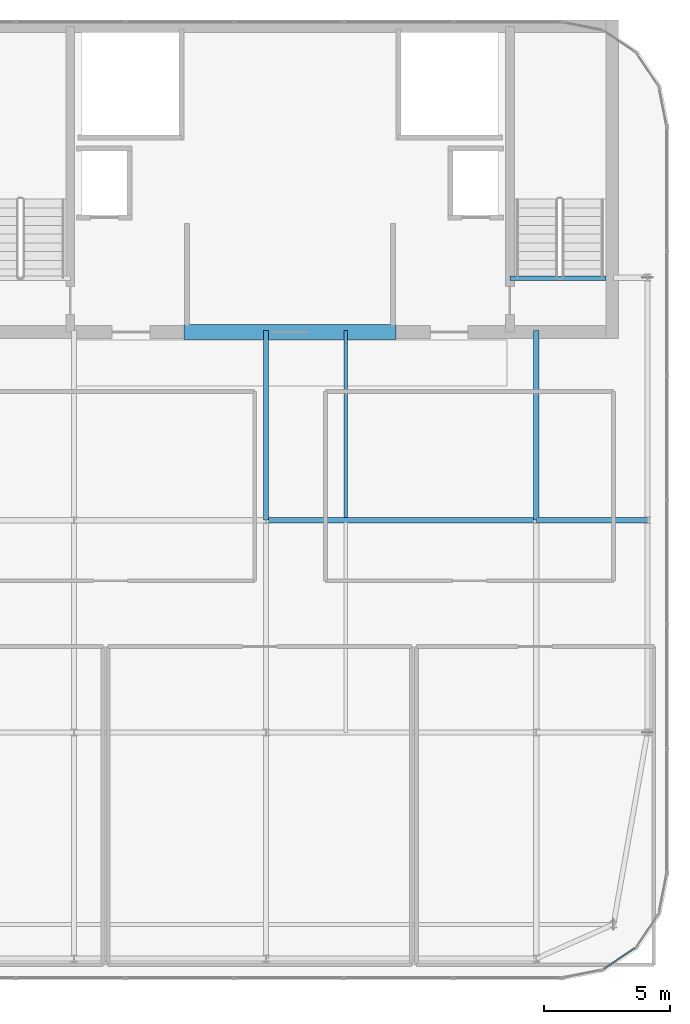
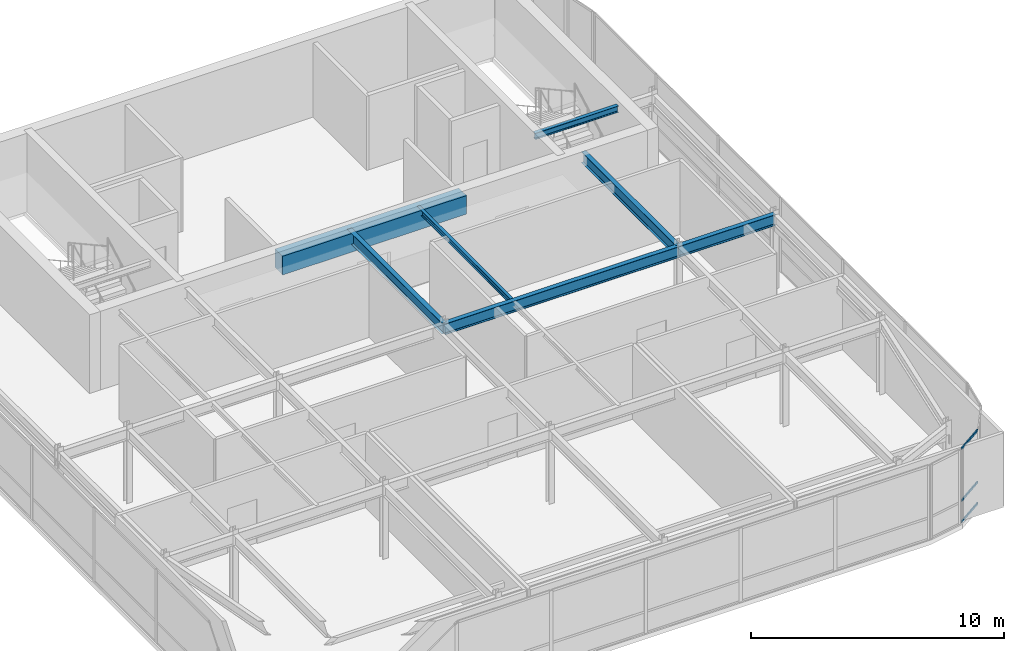
# One storey, part 20 of 36: 7 beams, 3 members, 1 element without a shape of its own.
"""IFC4 building model written with IfcOpenShell, lengths in metres."""

from ifc_helpers import new_model, si_unit, direction, frame, origin, origin_2d, place, context, subcontext, project, spatial, rectangle, hollow_rectangle, i_section, extrude, source, transform, mapped, material, layer, layer_set, material_profile, profile_set, type_object, type_shapes, element, aggregate, save


model = new_model("IFC4")

# Units and contexts
model_context = context("Model", 3, precision=1e-05, world=origin(), true_north=direction((0.0, 1.0)))
body_context = subcontext(model_context, "Body", "Model", "MODEL_VIEW")
ifc_project = project(units=[si_unit("LENGTHUNIT", "METRE"), si_unit("AREAUNIT", "SQUARE_METRE"), si_unit("VOLUMEUNIT", "CUBIC_METRE"), si_unit("PLANEANGLEUNIT", "RADIAN"), si_unit("MASSUNIT", "GRAM", prefix="KILO")], contexts=[model_context])

# Site, building, storey
site_placement = place(None, origin())
site = spatial("IfcSite", under=ifc_project, at=site_placement, CompositionType="ELEMENT")
building_placement = place(site_placement, origin())
building = spatial("IfcBuilding", under=site, at=building_placement, Name="Tolvann Quenvar Hotel", CompositionType="ELEMENT")
storey_placement = place(building_placement, frame((0.0, 0.0, 302.35009765625)))
storey = spatial("IfcBuildingStorey", under=building, at=storey_placement, Name="L80", CompositionType="ELEMENT", Elevation=302.35009765625)

# Beams
ifc_material_1 = material(Name="Concrete N50 (50 MPa)", Category="concrete")
ifc_material_profile_1 = material_profile(ifc_material_1, rectangle(XDim=0.60009765625, YDim=0.89990234375, at=origin_2d()), Name="RC600x900")
ifc_profile_set_1 = profile_set([ifc_material_profile_1], Name="Concrete N50 (50 MPa)")
beam_type_1 = type_object("IfcBeamType", Name="BM_LINT_RC600x900", PredefinedType="LINTEL", material=ifc_profile_set_1)
shared_shape_1 = source(origin(), body_context, "Body", "SweptSolid", [
    extrude(rectangle(XDim=0.60009765625, YDim=0.89990234375, at=origin_2d()), origin(), (0.0, 0.0, 1.0), 8.39990234375),
])
type_shapes(beam_type_1, [shared_shape_1])
beam_1_placement = place(storey_placement, frame((18.800048828125, 31.85009765625, 3.1298828125), z_axis=(1.0, 0.0, 0.0), x_axis=(0.0, 1.0, 0.0)))
element("IfcBeam", 1, at=beam_1_placement, inside=storey, type_object=beam_type_1, Name="Core Coupling Lintel Beam (L80)", PredefinedType="LINTEL", context=body_context, shape_type="MappedRepresentation", body=[
    mapped(shared_shape_1, transform((0.0, 0.0, 0.0), x_axis=(1.0, 0.0, 0.0), y_axis=(0.0, 1.0, 0.0), z_axis=(0.0, 0.0, 1.0), scale=1.0)),
])
ifc_material_2 = material(Name="Steel Grade 350", Category="steel")
ifc_material_profile_2 = material_profile(ifc_material_2, i_section(OverallWidth=0.166015625, OverallDepth=0.306884765625, WebThickness=0.006591796875, FlangeThickness=0.01171875, FilletRadius=0.011474609375, at=origin_2d()), Name="310UB46")
ifc_profile_set_2 = profile_set([ifc_material_profile_2], Name="Steel Grade 350")
beam_type_2 = type_object("IfcBeamType", Name="BM_JOIST_310UB46", PredefinedType="JOIST", material=ifc_profile_set_2)
shared_shape_2 = source(origin(), body_context, "Body", "SweptSolid", [
    extrude(i_section(OverallWidth=0.166015625, OverallDepth=0.306884765625, WebThickness=0.006591796875, FlangeThickness=0.01171875, FilletRadius=0.011474609375, at=origin_2d()), origin(), (0.0, 0.0, 1.0), 3.800048828125),
])
type_shapes(beam_type_2, [shared_shape_2])
beam_2_placement = place(storey_placement, frame((31.699951171875, 33.97998046875, 3.426513671875), z_axis=(1.0, 0.0, 0.0), x_axis=(0.0, 1.0, 0.0)))
element("IfcBeam", 2, at=beam_2_placement, inside=storey, type_object=beam_type_2, Name="BM-HDR-STC2-L81", PredefinedType="JOIST", context=body_context, shape_type="MappedRepresentation", body=[
    mapped(shared_shape_2, transform((0.0, 0.0, 0.0), x_axis=(1.0, 0.0, 0.0), y_axis=(0.0, 1.0, 0.0), z_axis=(0.0, 0.0, 1.0), scale=1.0)),
])
ifc_material_profile_3 = material_profile(ifc_material_2, i_section(OverallWidth=0.208984375, OverallDepth=0.532958984375, WebThickness=0.01025390625, FlangeThickness=0.015625, FilletRadius=0.013916015625, at=origin_2d()), Name="530UB92")
ifc_profile_set_3 = profile_set([ifc_material_profile_3], Name="Steel Grade 350")
beam_type_3 = type_object("IfcBeamType", Name="BM_GIRD_530UB92", PredefinedType="BEAM", material=ifc_profile_set_3)
shared_shape_3 = source(origin(), body_context, "Body", "SweptSolid", [
    extrude(i_section(OverallWidth=0.208984375, OverallDepth=0.532958984375, WebThickness=0.01025390625, FlangeThickness=0.015625, FilletRadius=0.013916015625, at=origin_2d()), origin(), (0.0, 0.0, 1.0), 7.5),
])
for number, where, z_axis, x_axis, name in (
    (3, (22.050048828125, 24.39990234375, 3.3134765625), (0.0, 1.0, 0.0), (-1.0, 0.0, 0.0), "BM-L80-CORE-E5"),
    (4, (32.75, 24.39990234375, 3.3134765625), (0.0, 1.0, 0.0), (-1.0, 0.0, 0.0), "BM-L80-CORE-FP5"),
):
    element("IfcBeam", number, at=place(storey_placement, frame(where, z_axis=z_axis, x_axis=x_axis)), inside=storey, type_object=beam_type_3, Name=name, PredefinedType="BEAM", context=body_context, shape_type="MappedRepresentation", body=[
        mapped(shared_shape_3, transform((0.0, 0.0, 0.0), x_axis=(1.0, 0.0, 0.0), y_axis=(0.0, 1.0, 0.0), z_axis=(0.0, 0.0, 1.0), scale=1.0)),
    ])
shared_shape_4 = source(origin(), body_context, "Body", "SweptSolid", [
    extrude(i_section(OverallWidth=0.208984375, OverallDepth=0.532958984375, WebThickness=0.01025390625, FlangeThickness=0.015625, FilletRadius=0.013916015625, at=origin_2d()), origin(), (0.0, 0.0, 1.0), 10.699951171875),
])
beam_3_placement = place(storey_placement, frame((22.050048828125, 24.39990234375, 3.3134765625), z_axis=(1.0, 0.0, 0.0), x_axis=(0.0, 1.0, 0.0)))
element("IfcBeam", 5, at=beam_3_placement, inside=storey, type_object=beam_type_3, Name="BM-L80-EW-5-E5-FP5", PredefinedType="BEAM", context=body_context, shape_type="MappedRepresentation", body=[
    mapped(shared_shape_4, transform((0.0, 0.0, 0.0), x_axis=(1.0, 0.0, 0.0), y_axis=(0.0, 1.0, 0.0), z_axis=(0.0, 0.0, 1.0), scale=1.0)),
])
shared_shape_5 = source(origin(), body_context, "Body", "SweptSolid", [
    extrude(i_section(OverallWidth=0.208984375, OverallDepth=0.532958984375, WebThickness=0.01025390625, FlangeThickness=0.015625, FilletRadius=0.013916015625, at=origin_2d()), origin(), (0.0, 0.0, 1.0), 4.39990234375),
])
type_shapes(beam_type_3, [shared_shape_3, shared_shape_4, shared_shape_5])
beam_4_placement = place(storey_placement, frame((32.75, 24.39990234375, 3.3134765625), z_axis=(1.0, 0.0, 0.0), x_axis=(0.0, 1.0, 0.0)))
element("IfcBeam", 6, at=beam_4_placement, inside=storey, type_object=beam_type_3, Name="BM-L80-EW-5-FP5-G5", PredefinedType="BEAM", context=body_context, shape_type="MappedRepresentation", body=[
    mapped(shared_shape_5, transform((0.0, 0.0, 0.0), x_axis=(1.0, 0.0, 0.0), y_axis=(0.0, 1.0, 0.0), z_axis=(0.0, 0.0, 1.0), scale=1.0)),
])
ifc_material_profile_4 = material_profile(ifc_material_2, i_section(OverallWidth=0.14599609375, OverallDepth=0.256103515625, WebThickness=0.00634765625, FlangeThickness=0.010986328125, FilletRadius=0.0087890625, at=origin_2d()), Name="250UB37")
ifc_profile_set_4 = profile_set([ifc_material_profile_4], Name="Steel Grade 350")
beam_type_4 = type_object("IfcBeamType", Name="BM_JOIST_250UB37", PredefinedType="JOIST", material=ifc_profile_set_4)
shared_shape_6 = source(origin(), body_context, "Body", "SweptSolid", [
    extrude(i_section(OverallWidth=0.14599609375, OverallDepth=0.256103515625, WebThickness=0.00634765625, FlangeThickness=0.010986328125, FilletRadius=0.0087890625, at=origin_2d()), origin(), (0.0, 0.0, 1.0), 7.4013671875),
])
type_shapes(beam_type_4, [shared_shape_6])
beam_5_placement = place(storey_placement, frame((25.199951171875, 24.49853515625, 3.451904296875), z_axis=(0.0, 1.0, 0.0), x_axis=(-1.0, 0.0, 0.0)))
element("IfcBeam", 7, at=beam_5_placement, inside=storey, type_object=beam_type_4, Name="BJ-L80-252-244", PredefinedType="JOIST", context=body_context, shape_type="MappedRepresentation", body=[
    mapped(shared_shape_6, transform((0.0, 0.0, 0.0), x_axis=(1.0, 0.0, 0.0), y_axis=(0.0, 1.0, 0.0), z_axis=(0.0, 0.0, 1.0), scale=1.0)),
])

# Curtain wall, members
ifc_material_3 = material(Name="Thermally broken anodised architectural aluminium 6063-T6 and laminated low-E glass", Category="aluminium")
ifc_layer = layer(ifc_material_3, 0.179931640625)
ifc_layer_set = layer_set([ifc_layer], Name="Thermally broken anodised architectural aluminium 6063-T6 and laminated low-E glass")
curtain_wall_type = type_object("IfcCurtainWallType", Name="CW_SYS_LANT_06", PredefinedType="USERDEFINED", material=ifc_layer_set)
curtain_wall_placement = place(storey_placement, origin())
curtain_wall = element("IfcCurtainWall", 8, at=curtain_wall_placement, inside=storey, type_object=curtain_wall_type, Name="Curtain Wall CW-LANT-06 (CWR-L80-E06)", ObjectType="UNITISED CURTAIN WALL", PredefinedType="USERDEFINED")
ifc_material_4 = material(Name="Anodised architectural aluminium 6063-T6 framing", Category="aluminium")
ifc_material_profile_5 = material_profile(ifc_material_4, hollow_rectangle(XDim=0.050048828125, YDim=0.10009765625, WallThickness=0.0029296875, at=origin_2d()), Name="100x50x3RHS")
ifc_profile_set_5 = profile_set([ifc_material_profile_5], Name="Anodised architectural aluminium 6063-T6 framing")
member_type = type_object("IfcMemberType", Name="CW_TRAN_100x50", PredefinedType="USERDEFINED", material=ifc_profile_set_5)
shared_shape_7 = source(origin(), body_context, "Body", "SweptSolid", [
    extrude(hollow_rectangle(XDim=0.050048828125, YDim=0.10009765625, WallThickness=0.0029296875, at=origin_2d()), origin(), (0.0, 0.0, 1.0), 1.439208984375),
])
type_shapes(member_type, [shared_shape_7])
member_1_placement = place(storey_placement, frame((35.440185546875, 6.64990234375, 0.02490234375), z_axis=(0.831449510818, 0.555600315839, 0.0), x_axis=(-0.555600315839, 0.831449510818, 0.0)))
member_1 = element("IfcMember", 9, at=member_1_placement, type_object=member_type, Name="CW-LANT-06 transom 1.1", ObjectType="TRANSOM", PredefinedType="USERDEFINED", context=body_context, shape_type="MappedRepresentation", body=[
    mapped(shared_shape_7, transform((0.0, 0.0, 0.0), x_axis=(1.0, 0.0, 0.0), y_axis=(0.0, 1.0, 0.0), z_axis=(0.0, 0.0, 1.0), scale=1.0)),
])
member_2_placement = place(storey_placement, frame((35.440185546875, 6.64990234375, 1.0498046875), z_axis=(0.831449510818, 0.555600315839, 0.0), x_axis=(-0.555600315839, 0.831449510818, 0.0)))
member_2 = element("IfcMember", 10, at=member_2_placement, type_object=member_type, Name="CW-LANT-06 transom 1.2", ObjectType="TRANSOM", PredefinedType="USERDEFINED", context=body_context, shape_type="MappedRepresentation", body=[
    mapped(shared_shape_7, transform((0.0, 0.0, 0.0), x_axis=(1.0, 0.0, 0.0), y_axis=(0.0, 1.0, 0.0), z_axis=(0.0, 0.0, 1.0), scale=1.0)),
])
member_3_placement = place(storey_placement, frame((35.440185546875, 6.64990234375, 3.554931640625), z_axis=(0.831449510818, 0.555600315839, 0.0), x_axis=(-0.555600315839, 0.831449510818, 0.0)))
member_3 = element("IfcMember", 11, at=member_3_placement, type_object=member_type, Name="CW-LANT-06 transom 1.3", ObjectType="TRANSOM", PredefinedType="USERDEFINED", context=body_context, shape_type="MappedRepresentation", body=[
    mapped(shared_shape_7, transform((0.0, 0.0, 0.0), x_axis=(1.0, 0.0, 0.0), y_axis=(0.0, 1.0, 0.0), z_axis=(0.0, 0.0, 1.0), scale=1.0)),
])
aggregate(curtain_wall, [member_1, member_2, member_3])

save(model, "model.ifc")
